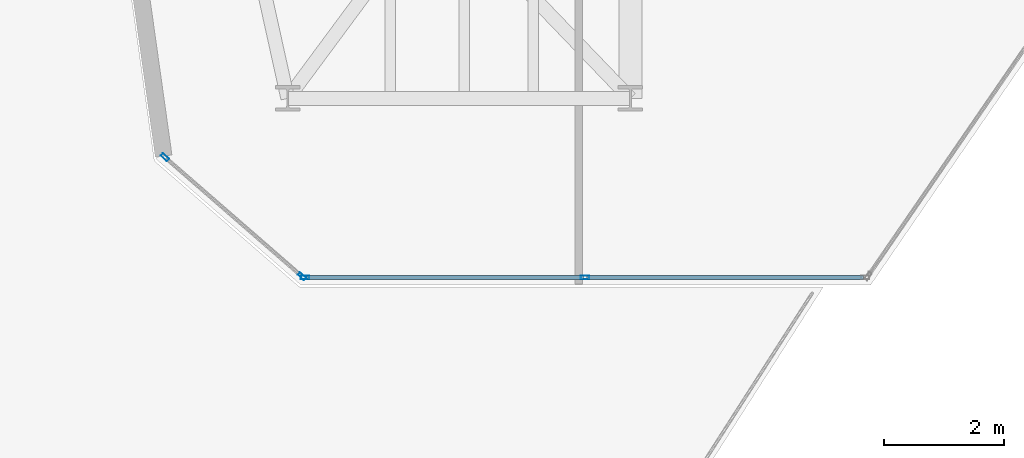
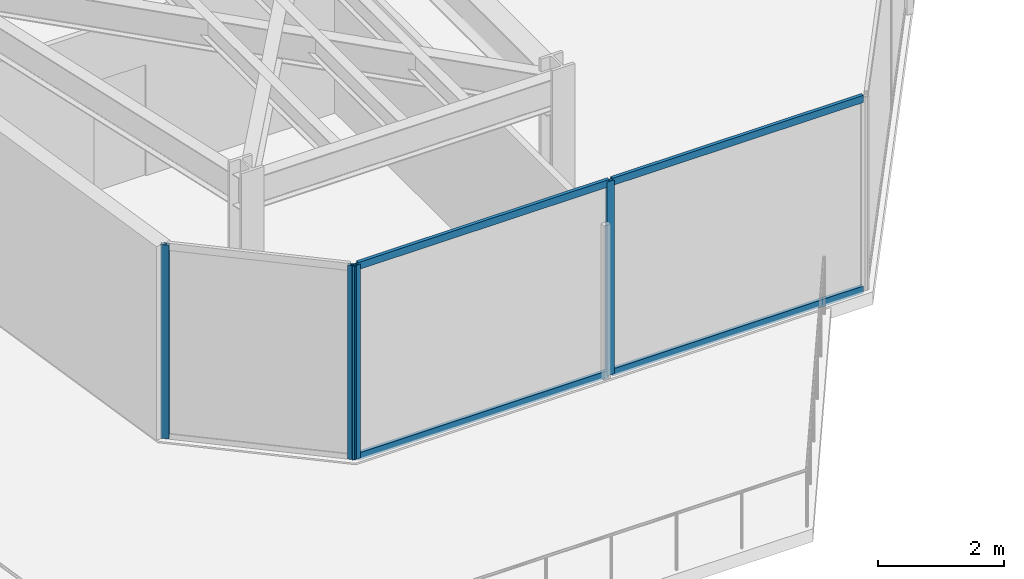
# One storey, part 2 of 21: 8 members, 2 elements without a shape of their own.
"""IFC4 building model written with IfcOpenShell, lengths in metres."""

from ifc_helpers import new_model, si_unit, direction, frame, origin, origin_2d, place, context, subcontext, project, spatial, hollow_rectangle, extrude, material, layer, layer_set, material_profile, profile_set, type_object, element, aggregate, save


model = new_model("IFC4")

# Units and contexts
model_context = context("Model", 3, precision=1e-05, world=origin(), true_north=direction((0.0, 1.0)))
body_context = subcontext(model_context, "Body", "Model", "MODEL_VIEW")
ifc_project = project(units=[si_unit("LENGTHUNIT", "METRE"), si_unit("AREAUNIT", "SQUARE_METRE"), si_unit("VOLUMEUNIT", "CUBIC_METRE"), si_unit("PLANEANGLEUNIT", "RADIAN"), si_unit("MASSUNIT", "GRAM", prefix="KILO")], contexts=[model_context])

# Site, building, storey
site_placement = place(None, origin())
site = spatial("IfcSite", under=ifc_project, at=site_placement, CompositionType="ELEMENT")
building_placement = place(site_placement, origin())
building = spatial("IfcBuilding", under=site, at=building_placement, Name="Kravanh Interchange Tower", CompositionType="ELEMENT")
storey_placement = place(building_placement, frame((0.0, 0.0, 160.5)))
storey = spatial("IfcBuildingStorey", under=building, at=storey_placement, Name="L38", CompositionType="ELEMENT", Elevation=160.5)

# Curtain wall, members
ifc_material_1 = material(Name="Anodised Bronze Aluminium", Category="aluminium")
ifc_layer = layer(ifc_material_1, 0.179931640625)
ifc_layer_set = layer_set([ifc_layer], Name="Unitised Curtain Wall System CW-Z3 Upper Office")
curtain_wall_type = type_object("IfcCurtainWallType", Name="Unitised Curtain Wall System CW-Z3 Upper Office", PredefinedType="NOTDEFINED", material=ifc_layer_set)
curtain_wall_1_placement = place(storey_placement, origin())
curtain_wall_1 = element("IfcCurtainWall", 1, at=curtain_wall_1_placement, inside=storey, type_object=curtain_wall_type, Name="L38 Unitised Curtain Wall CW-L38-06", PredefinedType="NOTDEFINED")
ifc_material_2 = material(Name="Anodised Bronze Aluminium", Category="aluminium")
ifc_material_profile_1 = material_profile(ifc_material_2, hollow_rectangle(XDim=0.06005859375, YDim=0.139892578125, WallThickness=0.00390625, at=origin_2d()), Name="ALU60X140X4")
ifc_profile_set_1 = profile_set([ifc_material_profile_1], Name="Anodised Bronze Aluminium")
member_type_1 = type_object("IfcMemberType", Name="Curtain Wall Mullion ALU60X140X4 Bronze", PredefinedType="MULLION", material=ifc_profile_set_1)
member_1_placement = place(storey_placement, frame((26.447998046875, 11.52001953125, 0.0), z_axis=(0.0, 0.0, 1.0), x_axis=(0.0, -1.0, 0.0)))
member_1 = element("IfcMember", 2, at=member_1_placement, type_object=member_type_1, Name="CW-Z3 mullion 2", PredefinedType="MULLION", context=body_context, shape_type="SweptSolid", body=[
    extrude(hollow_rectangle(XDim=0.06005859375, YDim=0.139892578125, WallThickness=0.00390625, at=origin_2d()), origin(), (0.0, 0.0, 1.0), 3.7548828125),
])
member_2_placement = place(storey_placement, frame((21.7890625, 11.52001953125, 0.0), z_axis=(0.0, 0.0, 1.0), x_axis=(0.0, -1.0, 0.0)))
member_2 = element("IfcMember", 3, at=member_2_placement, type_object=member_type_1, Name="CW-Z3 mullion 3", PredefinedType="MULLION", context=body_context, shape_type="SweptSolid", body=[
    extrude(hollow_rectangle(XDim=0.06005859375, YDim=0.139892578125, WallThickness=0.00390625, at=origin_2d()), origin(), (0.0, 0.0, 1.0), 3.7548828125),
])

curtain_wall_2_placement = place(storey_placement, origin())
curtain_wall_2 = element("IfcCurtainWall", 4, at=curtain_wall_2_placement, inside=storey, type_object=curtain_wall_type, Name="L38 Unitised Curtain Wall CW-L38-07", PredefinedType="NOTDEFINED")
member_3_placement = place(storey_placement, frame((21.736328125, 11.539794921875, 0.0), z_axis=(0.0, 0.0, 1.0), x_axis=(-0.65605090137, -0.754716645379, 0.0)))
member_3 = element("IfcMember", 5, at=member_3_placement, type_object=member_type_1, Name="CW-Z3 mullion 1", PredefinedType="MULLION", context=body_context, shape_type="SweptSolid", body=[
    extrude(hollow_rectangle(XDim=0.06005859375, YDim=0.139892578125, WallThickness=0.00390625, at=origin_2d()), origin(), (0.0, 0.0, 1.0), 3.7548828125),
])
member_4_placement = place(storey_placement, frame((19.45703125, 13.52099609375, 0.0), z_axis=(0.0, 0.0, 1.0), x_axis=(-0.65605090137, -0.754716645379, 0.0)))
member_4 = element("IfcMember", 6, at=member_4_placement, type_object=member_type_1, Name="CW-Z3 mullion 2", PredefinedType="MULLION", context=body_context, shape_type="SweptSolid", body=[
    extrude(hollow_rectangle(XDim=0.06005859375, YDim=0.139892578125, WallThickness=0.00390625, at=origin_2d()), origin(), (0.0, 0.0, 1.0), 3.7548828125),
])
aggregate(curtain_wall_2, [member_3, member_4])

# Member
ifc_material_3 = material(Name="Anodised Bronze Aluminium", Category="aluminium")
ifc_material_profile_2 = material_profile(ifc_material_3, hollow_rectangle(XDim=0.06005859375, YDim=0.139892578125, WallThickness=0.00390625, at=origin_2d()), Name="ALU60X140X4")
ifc_profile_set_2 = profile_set([ifc_material_profile_2], Name="Anodised Bronze Aluminium")
member_type_2 = type_object("IfcMemberType", Name="Curtain Wall Transom ALU60X140X4 Bronze", PredefinedType="USERDEFINED", material=ifc_profile_set_2)
member_5_placement = place(storey_placement, frame((31.076904296875, 11.52001953125, 0.030029296875), z_axis=(-1.0, 0.0, 0.0), x_axis=(0.0, -1.0, 0.0)))
member_5 = element("IfcMember", 7, at=member_5_placement, type_object=member_type_2, Name="CW-Z3 transom 1.1", ObjectType="TRANSOM", PredefinedType="USERDEFINED", context=body_context, shape_type="SweptSolid", body=[
    extrude(hollow_rectangle(XDim=0.06005859375, YDim=0.139892578125, WallThickness=0.00390625, at=origin_2d()), origin(), (0.0, 0.0, 1.0), 4.598876953125),
])

member_6_placement = place(storey_placement, frame((31.076904296875, 11.52001953125, 3.72509765625), z_axis=(-1.0, 0.0, 0.0), x_axis=(0.0, -1.0, 0.0)))
member_6 = element("IfcMember", 8, at=member_6_placement, type_object=member_type_2, Name="CW-Z3 transom 1.2", ObjectType="TRANSOM", PredefinedType="USERDEFINED", context=body_context, shape_type="SweptSolid", body=[
    extrude(hollow_rectangle(XDim=0.06005859375, YDim=0.139892578125, WallThickness=0.00390625, at=origin_2d()), origin(), (0.0, 0.0, 1.0), 4.598876953125),
])

member_7_placement = place(storey_placement, frame((26.41796875, 11.52001953125, 0.030029296875), z_axis=(-1.0, 0.0, 0.0), x_axis=(0.0, -1.0, 0.0)))
member_7 = element("IfcMember", 9, at=member_7_placement, type_object=member_type_2, Name="CW-Z3 transom 2.1", ObjectType="TRANSOM", PredefinedType="USERDEFINED", context=body_context, shape_type="SweptSolid", body=[
    extrude(hollow_rectangle(XDim=0.06005859375, YDim=0.139892578125, WallThickness=0.00390625, at=origin_2d()), origin(), (0.0, 0.0, 1.0), 4.598876953125),
])

member_8_placement = place(storey_placement, frame((26.41796875, 11.52001953125, 3.72509765625), z_axis=(-1.0, 0.0, 0.0), x_axis=(0.0, -1.0, 0.0)))
member_8 = element("IfcMember", 10, at=member_8_placement, type_object=member_type_2, Name="CW-Z3 transom 2.2", ObjectType="TRANSOM", PredefinedType="USERDEFINED", context=body_context, shape_type="SweptSolid", body=[
    extrude(hollow_rectangle(XDim=0.06005859375, YDim=0.139892578125, WallThickness=0.00390625, at=origin_2d()), origin(), (0.0, 0.0, 1.0), 4.598876953125),
])

aggregate(curtain_wall_1, [member_1, member_2, member_5, member_6, member_7, member_8])

save(model, "model.ifc")
